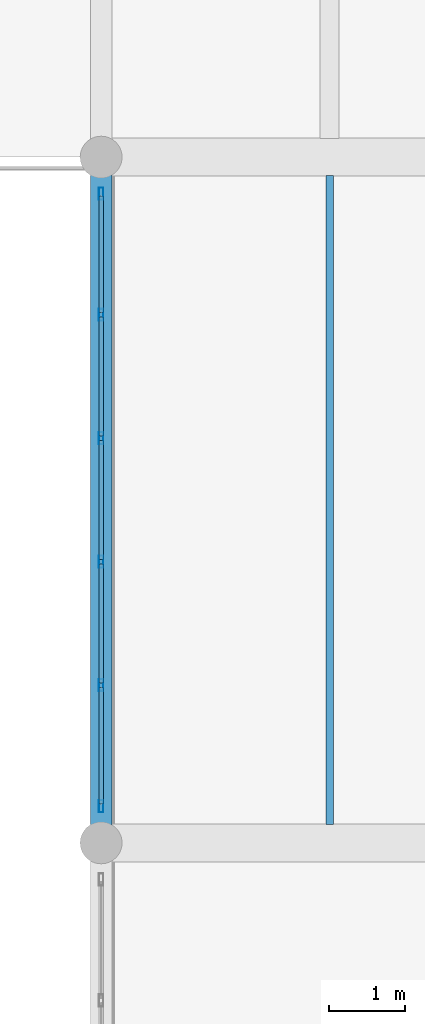
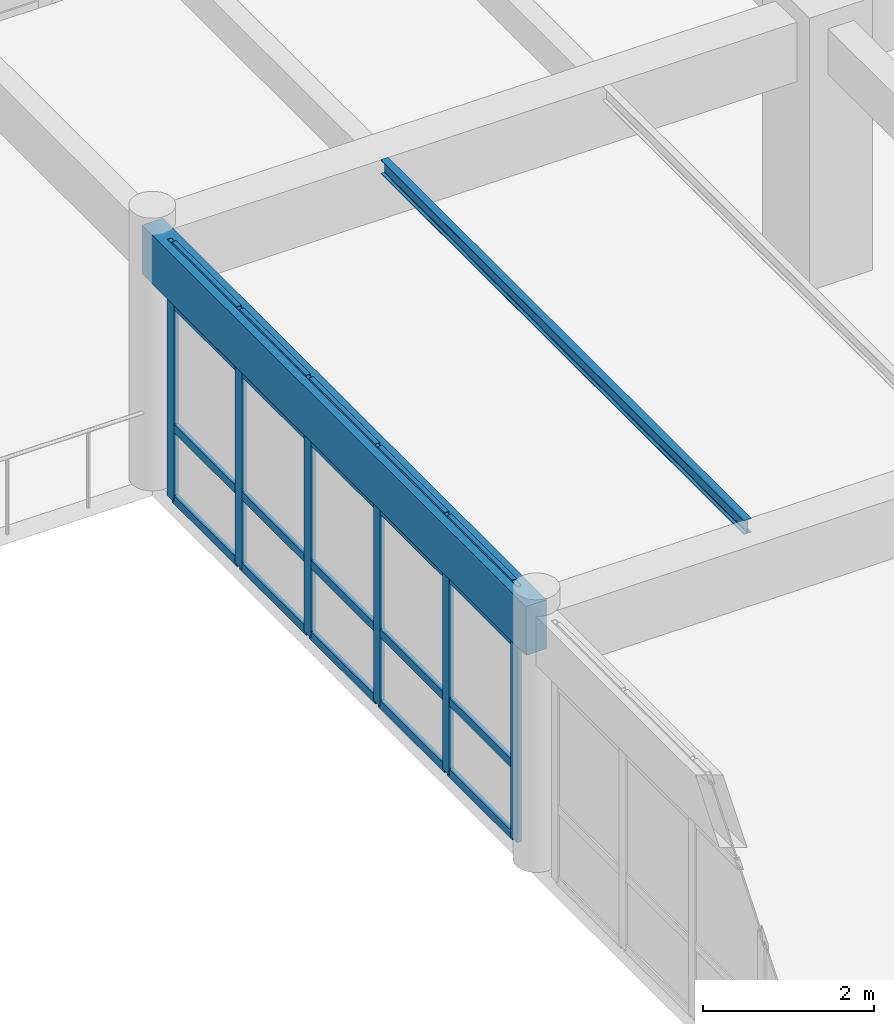
# One storey, part 62 of 156: 26 members, 2 beams, 1 element without a shape of its own.
"""IFC4 building model written with IfcOpenShell, lengths in metres."""

from ifc_helpers import new_model, si_unit, direction, frame, origin, origin_2d, place, context, subcontext, project, spatial, rectangle, hollow_rectangle, i_section, extrude, material, layer, layer_set, material_profile, profile_set, type_object, element, aggregate, save


model = new_model("IFC4")

# Units and contexts
model_context = context("Model", 3, precision=1e-05, world=origin(), true_north=direction((0.0, 1.0)))
body_context = subcontext(model_context, "Body", "Model", "MODEL_VIEW")
ifc_project = project(units=[si_unit("LENGTHUNIT", "METRE"), si_unit("AREAUNIT", "SQUARE_METRE"), si_unit("VOLUMEUNIT", "CUBIC_METRE"), si_unit("PLANEANGLEUNIT", "RADIAN"), si_unit("MASSUNIT", "GRAM", prefix="KILO")], contexts=[model_context])

# Site, building, storey
site_placement = place(None, origin())
site = spatial("IfcSite", under=ifc_project, at=site_placement, CompositionType="ELEMENT")
building_placement = place(site_placement, origin())
building = spatial("IfcBuilding", under=site, at=building_placement, Name="Ornek Quay Market", CompositionType="ELEMENT")
storey_placement = place(building_placement, frame((0.0, 0.0, 4.5)))
storey = spatial("IfcBuildingStorey", under=building, at=storey_placement, Name="L01", CompositionType="ELEMENT", Elevation=4.5)

# Beams
ifc_material_1 = material(Name="Concrete C35/45", Category="concrete")
ifc_material_profile_1 = material_profile(ifc_material_1, rectangle(XDim=0.280029296875, YDim=0.699951171875, at=origin_2d()), Name="RC 280x700", Category="concrete")
ifc_profile_set_1 = profile_set([ifc_material_profile_1], Name="Concrete C35/45")
beam_type_1 = type_object("IfcBeamType", Name="BM-SPN-280x700", PredefinedType="SPANDREL", material=ifc_profile_set_1)
beam_1_placement = place(storey_placement, frame((108.0, 74.0, 3.31005859375), z_axis=(0.0, 1.0, 0.0), x_axis=(-1.0, 0.0, 0.0)))
element("IfcBeam", 1, at=beam_1_placement, inside=storey, type_object=beam_type_1, Name="Primary beam B-SP2-078", PredefinedType="SPANDREL", context=body_context, shape_type="SweptSolid", body=[
    extrude(rectangle(XDim=0.280029296875, YDim=0.699951171875, at=origin_2d()), origin(), (0.0, 0.0, 1.0), 9.0),
])
ifc_material_2 = material(Name="Steel S355", Category="steel")
ifc_material_profile_2 = material_profile(ifc_material_2, i_section(OverallWidth=0.10009765625, OverallDepth=0.199951171875, WebThickness=0.005615234375, FlangeThickness=0.008544921875, FilletRadius=0.011962890625, at=origin_2d()), Name="IPE 200", Category="steel")
ifc_profile_set_2 = profile_set([ifc_material_profile_2], Name="Steel S355")
beam_type_2 = type_object("IfcBeamType", Name="BM-STL-IPE200", PredefinedType="JOIST", material=ifc_profile_set_2)
beam_2_placement = place(storey_placement, frame((111.0, 74.241943359375, 3.56005859375), z_axis=(0.0, 1.0, 0.0), x_axis=(-1.0, 0.0, 0.0)))
element("IfcBeam", 2, at=beam_2_placement, inside=storey, type_object=beam_type_2, Name="Secondary joist SB-02-031", PredefinedType="JOIST", context=body_context, shape_type="SweptSolid", body=[
    extrude(i_section(OverallWidth=0.10009765625, OverallDepth=0.199951171875, WebThickness=0.005615234375, FlangeThickness=0.008544921875, FilletRadius=0.011962890625, at=origin_2d()), origin(), (0.0, 0.0, 1.0), 8.51611328125),
])

# Curtain wall, members
ifc_material_3 = material(Name="Anodised bronze aluminium and triple low-e glass", Category="aluminium")
ifc_layer = layer(ifc_material_3, 0.139892578125, Name="Anodised bronze aluminium and triple low-e glass", Category="aluminium")
ifc_layer_set = layer_set([ifc_layer], Name="Anodised bronze aluminium and triple low-e glass")
curtain_wall_type = type_object("IfcCurtainWallType", Name="CW-GALLERY-INT", PredefinedType="USERDEFINED", material=ifc_layer_set)
curtain_wall_placement = place(storey_placement, origin())
curtain_wall = element("IfcCurtainWall", 3, at=curtain_wall_placement, inside=storey, type_object=curtain_wall_type, Name="Curtain wall CW-108", ObjectType="CURTAIN WALL", PredefinedType="USERDEFINED")
ifc_material_4 = material(Name="Anodised aluminium 6063-T6", Category="aluminium")
ifc_material_profile_3 = material_profile(ifc_material_4, hollow_rectangle(XDim=0.06005859375, YDim=0.159912109375, WallThickness=0.00390625, at=origin_2d()), Name="CW-MUL-60x160", Category="aluminium")
ifc_profile_set_3 = profile_set([ifc_material_profile_3], Name="Anodised aluminium 6063-T6")
member_type_1 = type_object("IfcMemberType", Name="CW-MUL-60x160", PredefinedType="MULLION", material=ifc_profile_set_3)
member_1_placement = place(storey_placement, frame((108.0, 74.47998046875, 0.0), z_axis=(0.0, 0.0, 1.0), x_axis=(-1.0, 0.0, 0.0)))
member_1 = element("IfcMember", 4, at=member_1_placement, type_object=member_type_1, Name="CW-108 mullion 1", PredefinedType="MULLION", context=body_context, shape_type="SweptSolid", body=[
    extrude(hollow_rectangle(XDim=0.06005859375, YDim=0.159912109375, WallThickness=0.00390625, at=origin_2d()), origin(), (0.0, 0.0, 1.0), 3.659912109375),
])
member_2_placement = place(storey_placement, frame((108.0, 76.070068359375, 0.0), z_axis=(0.0, 0.0, 1.0), x_axis=(-1.0, 0.0, 0.0)))
member_2 = element("IfcMember", 5, at=member_2_placement, type_object=member_type_1, Name="CW-108 mullion 2", PredefinedType="MULLION", context=body_context, shape_type="SweptSolid", body=[
    extrude(hollow_rectangle(XDim=0.06005859375, YDim=0.159912109375, WallThickness=0.00390625, at=origin_2d()), origin(), (0.0, 0.0, 1.0), 3.659912109375),
])
member_3_placement = place(storey_placement, frame((108.0, 77.68994140625, 0.0), z_axis=(0.0, 0.0, 1.0), x_axis=(-1.0, 0.0, 0.0)))
member_3 = element("IfcMember", 6, at=member_3_placement, type_object=member_type_1, Name="CW-108 mullion 3", PredefinedType="MULLION", context=body_context, shape_type="SweptSolid", body=[
    extrude(hollow_rectangle(XDim=0.06005859375, YDim=0.159912109375, WallThickness=0.00390625, at=origin_2d()), origin(), (0.0, 0.0, 1.0), 3.659912109375),
])
member_4_placement = place(storey_placement, frame((108.0, 79.31005859375, 0.0), z_axis=(0.0, 0.0, 1.0), x_axis=(-1.0, 0.0, 0.0)))
member_4 = element("IfcMember", 7, at=member_4_placement, type_object=member_type_1, Name="CW-108 mullion 4", PredefinedType="MULLION", context=body_context, shape_type="SweptSolid", body=[
    extrude(hollow_rectangle(XDim=0.06005859375, YDim=0.159912109375, WallThickness=0.00390625, at=origin_2d()), origin(), (0.0, 0.0, 1.0), 3.659912109375),
])
member_5_placement = place(storey_placement, frame((108.0, 80.929931640625, 0.0), z_axis=(0.0, 0.0, 1.0), x_axis=(-1.0, 0.0, 0.0)))
member_5 = element("IfcMember", 8, at=member_5_placement, type_object=member_type_1, Name="CW-108 mullion 5", PredefinedType="MULLION", context=body_context, shape_type="SweptSolid", body=[
    extrude(hollow_rectangle(XDim=0.06005859375, YDim=0.159912109375, WallThickness=0.00390625, at=origin_2d()), origin(), (0.0, 0.0, 1.0), 3.659912109375),
])
member_6_placement = place(storey_placement, frame((108.0, 82.52001953125, 0.0), z_axis=(0.0, 0.0, 1.0), x_axis=(-1.0, 0.0, 0.0)))
member_6 = element("IfcMember", 9, at=member_6_placement, type_object=member_type_1, Name="CW-108 mullion 6", PredefinedType="MULLION", context=body_context, shape_type="SweptSolid", body=[
    extrude(hollow_rectangle(XDim=0.06005859375, YDim=0.159912109375, WallThickness=0.00390625, at=origin_2d()), origin(), (0.0, 0.0, 1.0), 3.659912109375),
])
ifc_material_profile_4 = material_profile(ifc_material_4, hollow_rectangle(XDim=0.06005859375, YDim=0.1201171875, WallThickness=0.00390625, at=origin_2d()), Name="CW-TRN-60x120", Category="aluminium")
ifc_profile_set_4 = profile_set([ifc_material_profile_4], Name="Anodised aluminium 6063-T6")
member_type_2 = type_object("IfcMemberType", Name="CW-TRN-60x120", PredefinedType="USERDEFINED", material=ifc_profile_set_4)
member_7_placement = place(storey_placement, frame((108.0, 74.510009765625, 0.030029296875), z_axis=(0.0, 1.0, 0.0), x_axis=(-1.0, 0.0, 0.0)))
member_7 = element("IfcMember", 10, at=member_7_placement, type_object=member_type_2, Name="CW-108 transom 1.1", ObjectType="TRANSOM", PredefinedType="USERDEFINED", context=body_context, shape_type="SweptSolid", body=[
    extrude(hollow_rectangle(XDim=0.06005859375, YDim=0.1201171875, WallThickness=0.00390625, at=origin_2d()), origin(), (0.0, 0.0, 1.0), 1.530029296875),
])
member_8_placement = place(storey_placement, frame((108.0, 74.510009765625, 1.050048828125), z_axis=(0.0, 1.0, 0.0), x_axis=(-1.0, 0.0, 0.0)))
member_8 = element("IfcMember", 11, at=member_8_placement, type_object=member_type_2, Name="CW-108 transom 1.2", ObjectType="TRANSOM", PredefinedType="USERDEFINED", context=body_context, shape_type="SweptSolid", body=[
    extrude(hollow_rectangle(XDim=0.06005859375, YDim=0.1201171875, WallThickness=0.00390625, at=origin_2d()), origin(), (0.0, 0.0, 1.0), 1.530029296875),
])
member_9_placement = place(storey_placement, frame((108.0, 74.510009765625, 2.81005859375), z_axis=(0.0, 1.0, 0.0), x_axis=(-1.0, 0.0, 0.0)))
member_9 = element("IfcMember", 12, at=member_9_placement, type_object=member_type_2, Name="CW-108 transom 1.3", ObjectType="TRANSOM", PredefinedType="USERDEFINED", context=body_context, shape_type="SweptSolid", body=[
    extrude(hollow_rectangle(XDim=0.06005859375, YDim=0.1201171875, WallThickness=0.00390625, at=origin_2d()), origin(), (0.0, 0.0, 1.0), 1.530029296875),
])
member_10_placement = place(storey_placement, frame((108.0, 74.510009765625, 3.6298828125), z_axis=(0.0, 1.0, 0.0), x_axis=(-1.0, 0.0, 0.0)))
member_10 = element("IfcMember", 13, at=member_10_placement, type_object=member_type_2, Name="CW-108 transom 1.4", ObjectType="TRANSOM", PredefinedType="USERDEFINED", context=body_context, shape_type="SweptSolid", body=[
    extrude(hollow_rectangle(XDim=0.06005859375, YDim=0.1201171875, WallThickness=0.00390625, at=origin_2d()), origin(), (0.0, 0.0, 1.0), 1.530029296875),
])
member_11_placement = place(storey_placement, frame((108.0, 76.10009765625, 0.030029296875), z_axis=(0.0, 1.0, 0.0), x_axis=(-1.0, 0.0, 0.0)))
member_11 = element("IfcMember", 14, at=member_11_placement, type_object=member_type_2, Name="CW-108 transom 2.1", ObjectType="TRANSOM", PredefinedType="USERDEFINED", context=body_context, shape_type="SweptSolid", body=[
    extrude(hollow_rectangle(XDim=0.06005859375, YDim=0.1201171875, WallThickness=0.00390625, at=origin_2d()), origin(), (0.0, 0.0, 1.0), 1.559814453125),
])
member_12_placement = place(storey_placement, frame((108.0, 76.10009765625, 1.050048828125), z_axis=(0.0, 1.0, 0.0), x_axis=(-1.0, 0.0, 0.0)))
member_12 = element("IfcMember", 15, at=member_12_placement, type_object=member_type_2, Name="CW-108 transom 2.2", ObjectType="TRANSOM", PredefinedType="USERDEFINED", context=body_context, shape_type="SweptSolid", body=[
    extrude(hollow_rectangle(XDim=0.06005859375, YDim=0.1201171875, WallThickness=0.00390625, at=origin_2d()), origin(), (0.0, 0.0, 1.0), 1.559814453125),
])
member_13_placement = place(storey_placement, frame((108.0, 76.10009765625, 2.81005859375), z_axis=(0.0, 1.0, 0.0), x_axis=(-1.0, 0.0, 0.0)))
member_13 = element("IfcMember", 16, at=member_13_placement, type_object=member_type_2, Name="CW-108 transom 2.3", ObjectType="TRANSOM", PredefinedType="USERDEFINED", context=body_context, shape_type="SweptSolid", body=[
    extrude(hollow_rectangle(XDim=0.06005859375, YDim=0.1201171875, WallThickness=0.00390625, at=origin_2d()), origin(), (0.0, 0.0, 1.0), 1.559814453125),
])
member_14_placement = place(storey_placement, frame((108.0, 76.10009765625, 3.6298828125), z_axis=(0.0, 1.0, 0.0), x_axis=(-1.0, 0.0, 0.0)))
member_14 = element("IfcMember", 17, at=member_14_placement, type_object=member_type_2, Name="CW-108 transom 2.4", ObjectType="TRANSOM", PredefinedType="USERDEFINED", context=body_context, shape_type="SweptSolid", body=[
    extrude(hollow_rectangle(XDim=0.06005859375, YDim=0.1201171875, WallThickness=0.00390625, at=origin_2d()), origin(), (0.0, 0.0, 1.0), 1.559814453125),
])
member_15_placement = place(storey_placement, frame((108.0, 77.719970703125, 0.030029296875), z_axis=(0.0, 1.0, 0.0), x_axis=(-1.0, 0.0, 0.0)))
member_15 = element("IfcMember", 18, at=member_15_placement, type_object=member_type_2, Name="CW-108 transom 3.1", ObjectType="TRANSOM", PredefinedType="USERDEFINED", context=body_context, shape_type="SweptSolid", body=[
    extrude(hollow_rectangle(XDim=0.06005859375, YDim=0.1201171875, WallThickness=0.00390625, at=origin_2d()), origin(), (0.0, 0.0, 1.0), 1.56005859375),
])
member_16_placement = place(storey_placement, frame((108.0, 77.719970703125, 1.050048828125), z_axis=(0.0, 1.0, 0.0), x_axis=(-1.0, 0.0, 0.0)))
member_16 = element("IfcMember", 19, at=member_16_placement, type_object=member_type_2, Name="CW-108 transom 3.2", ObjectType="TRANSOM", PredefinedType="USERDEFINED", context=body_context, shape_type="SweptSolid", body=[
    extrude(hollow_rectangle(XDim=0.06005859375, YDim=0.1201171875, WallThickness=0.00390625, at=origin_2d()), origin(), (0.0, 0.0, 1.0), 1.56005859375),
])
member_17_placement = place(storey_placement, frame((108.0, 77.719970703125, 2.81005859375), z_axis=(0.0, 1.0, 0.0), x_axis=(-1.0, 0.0, 0.0)))
member_17 = element("IfcMember", 20, at=member_17_placement, type_object=member_type_2, Name="CW-108 transom 3.3", ObjectType="TRANSOM", PredefinedType="USERDEFINED", context=body_context, shape_type="SweptSolid", body=[
    extrude(hollow_rectangle(XDim=0.06005859375, YDim=0.1201171875, WallThickness=0.00390625, at=origin_2d()), origin(), (0.0, 0.0, 1.0), 1.56005859375),
])
member_18_placement = place(storey_placement, frame((108.0, 77.719970703125, 3.6298828125), z_axis=(0.0, 1.0, 0.0), x_axis=(-1.0, 0.0, 0.0)))
member_18 = element("IfcMember", 21, at=member_18_placement, type_object=member_type_2, Name="CW-108 transom 3.4", ObjectType="TRANSOM", PredefinedType="USERDEFINED", context=body_context, shape_type="SweptSolid", body=[
    extrude(hollow_rectangle(XDim=0.06005859375, YDim=0.1201171875, WallThickness=0.00390625, at=origin_2d()), origin(), (0.0, 0.0, 1.0), 1.56005859375),
])
member_19_placement = place(storey_placement, frame((108.0, 79.340087890625, 0.030029296875), z_axis=(0.0, 1.0, 0.0), x_axis=(-1.0, 0.0, 0.0)))
member_19 = element("IfcMember", 22, at=member_19_placement, type_object=member_type_2, Name="CW-108 transom 4.1", ObjectType="TRANSOM", PredefinedType="USERDEFINED", context=body_context, shape_type="SweptSolid", body=[
    extrude(hollow_rectangle(XDim=0.06005859375, YDim=0.1201171875, WallThickness=0.00390625, at=origin_2d()), origin(), (0.0, 0.0, 1.0), 1.559814453125),
])
member_20_placement = place(storey_placement, frame((108.0, 79.340087890625, 1.050048828125), z_axis=(0.0, 1.0, 0.0), x_axis=(-1.0, 0.0, 0.0)))
member_20 = element("IfcMember", 23, at=member_20_placement, type_object=member_type_2, Name="CW-108 transom 4.2", ObjectType="TRANSOM", PredefinedType="USERDEFINED", context=body_context, shape_type="SweptSolid", body=[
    extrude(hollow_rectangle(XDim=0.06005859375, YDim=0.1201171875, WallThickness=0.00390625, at=origin_2d()), origin(), (0.0, 0.0, 1.0), 1.559814453125),
])
member_21_placement = place(storey_placement, frame((108.0, 79.340087890625, 2.81005859375), z_axis=(0.0, 1.0, 0.0), x_axis=(-1.0, 0.0, 0.0)))
member_21 = element("IfcMember", 24, at=member_21_placement, type_object=member_type_2, Name="CW-108 transom 4.3", ObjectType="TRANSOM", PredefinedType="USERDEFINED", context=body_context, shape_type="SweptSolid", body=[
    extrude(hollow_rectangle(XDim=0.06005859375, YDim=0.1201171875, WallThickness=0.00390625, at=origin_2d()), origin(), (0.0, 0.0, 1.0), 1.559814453125),
])
member_22_placement = place(storey_placement, frame((108.0, 79.340087890625, 3.6298828125), z_axis=(0.0, 1.0, 0.0), x_axis=(-1.0, 0.0, 0.0)))
member_22 = element("IfcMember", 25, at=member_22_placement, type_object=member_type_2, Name="CW-108 transom 4.4", ObjectType="TRANSOM", PredefinedType="USERDEFINED", context=body_context, shape_type="SweptSolid", body=[
    extrude(hollow_rectangle(XDim=0.06005859375, YDim=0.1201171875, WallThickness=0.00390625, at=origin_2d()), origin(), (0.0, 0.0, 1.0), 1.559814453125),
])
member_23_placement = place(storey_placement, frame((108.0, 80.9599609375, 0.030029296875), z_axis=(0.0, 1.0, 0.0), x_axis=(-1.0, 0.0, 0.0)))
member_23 = element("IfcMember", 26, at=member_23_placement, type_object=member_type_2, Name="CW-108 transom 5.1", ObjectType="TRANSOM", PredefinedType="USERDEFINED", context=body_context, shape_type="SweptSolid", body=[
    extrude(hollow_rectangle(XDim=0.06005859375, YDim=0.1201171875, WallThickness=0.00390625, at=origin_2d()), origin(), (0.0, 0.0, 1.0), 1.530029296875),
])
member_24_placement = place(storey_placement, frame((108.0, 80.9599609375, 1.050048828125), z_axis=(0.0, 1.0, 0.0), x_axis=(-1.0, 0.0, 0.0)))
member_24 = element("IfcMember", 27, at=member_24_placement, type_object=member_type_2, Name="CW-108 transom 5.2", ObjectType="TRANSOM", PredefinedType="USERDEFINED", context=body_context, shape_type="SweptSolid", body=[
    extrude(hollow_rectangle(XDim=0.06005859375, YDim=0.1201171875, WallThickness=0.00390625, at=origin_2d()), origin(), (0.0, 0.0, 1.0), 1.530029296875),
])
member_25_placement = place(storey_placement, frame((108.0, 80.9599609375, 2.81005859375), z_axis=(0.0, 1.0, 0.0), x_axis=(-1.0, 0.0, 0.0)))
member_25 = element("IfcMember", 28, at=member_25_placement, type_object=member_type_2, Name="CW-108 transom 5.3", ObjectType="TRANSOM", PredefinedType="USERDEFINED", context=body_context, shape_type="SweptSolid", body=[
    extrude(hollow_rectangle(XDim=0.06005859375, YDim=0.1201171875, WallThickness=0.00390625, at=origin_2d()), origin(), (0.0, 0.0, 1.0), 1.530029296875),
])
member_26_placement = place(storey_placement, frame((108.0, 80.9599609375, 3.6298828125), z_axis=(0.0, 1.0, 0.0), x_axis=(-1.0, 0.0, 0.0)))
member_26 = element("IfcMember", 29, at=member_26_placement, type_object=member_type_2, Name="CW-108 transom 5.4", ObjectType="TRANSOM", PredefinedType="USERDEFINED", context=body_context, shape_type="SweptSolid", body=[
    extrude(hollow_rectangle(XDim=0.06005859375, YDim=0.1201171875, WallThickness=0.00390625, at=origin_2d()), origin(), (0.0, 0.0, 1.0), 1.530029296875),
])
aggregate(curtain_wall, [member_1, member_2, member_3, member_4, member_5, member_6, member_7, member_8, member_9, member_10, member_11, member_12, member_13, member_14, member_15, member_16, member_17, member_18, member_19, member_20, member_21, member_22, member_23, member_24, member_25, member_26])

save(model, "model.ifc")
